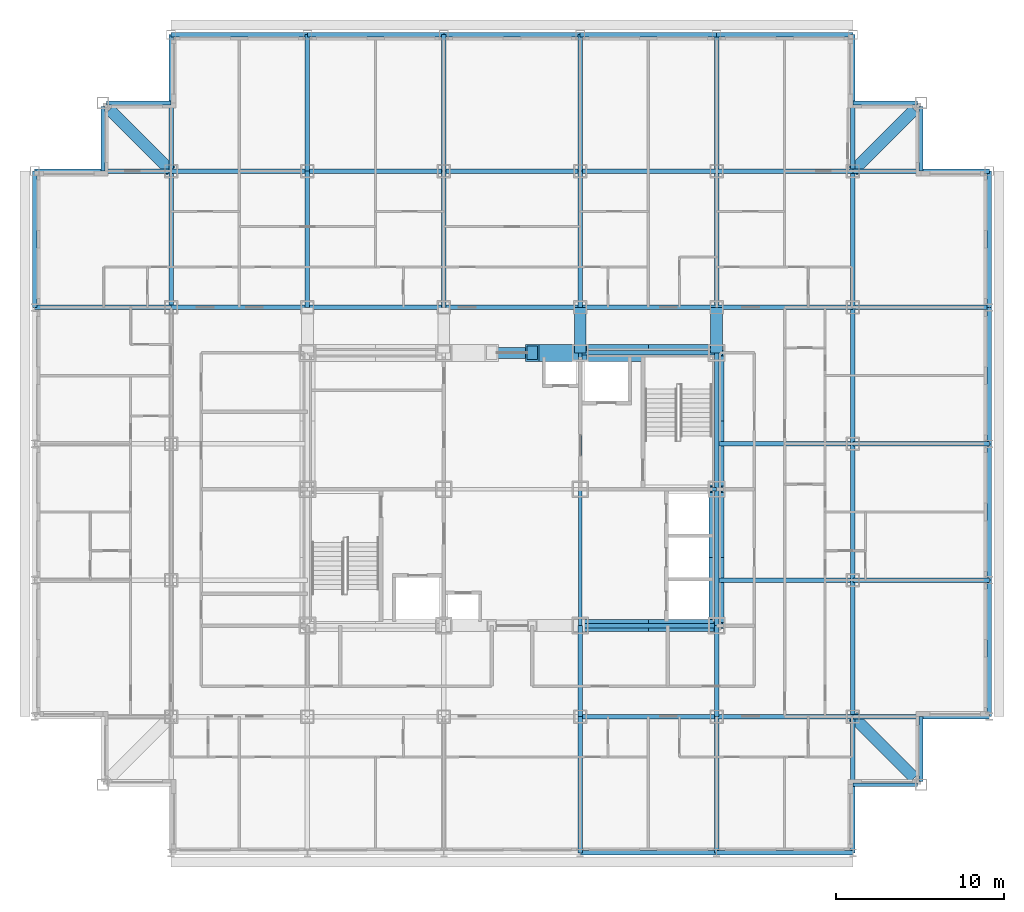
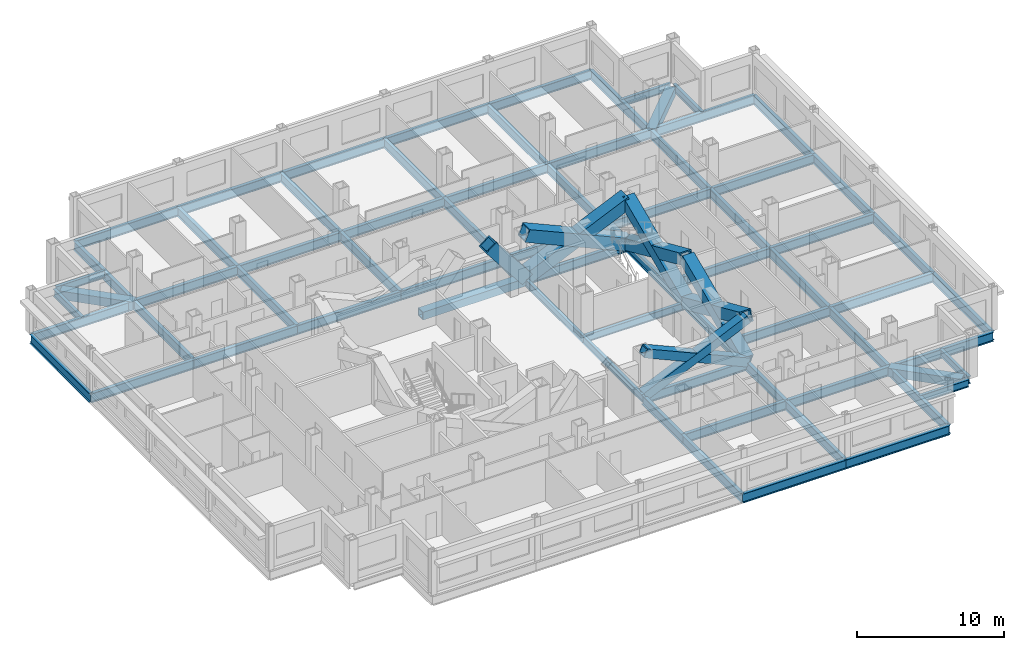
# One storey, part 2 of 12: 72 beams, 9 members.
"""IFC4 building model written with IfcOpenShell, lengths in metres."""

from ifc_helpers import new_model, si_unit, direction, frame, origin, origin_2d, place, context, subcontext, project, spatial, hollow_rectangle, i_section, extrude, material, material_profile, profile_set, type_object, element, save


model = new_model("IFC4")

# Units and contexts
model_context = context("Model", 3, precision=1e-05, world=origin(), true_north=direction((0.0, 1.0)))
body_context = subcontext(model_context, "Body", "Model", "MODEL_VIEW")
ifc_project = project(units=[si_unit("LENGTHUNIT", "METRE"), si_unit("AREAUNIT", "SQUARE_METRE"), si_unit("VOLUMEUNIT", "CUBIC_METRE"), si_unit("PLANEANGLEUNIT", "RADIAN"), si_unit("MASSUNIT", "GRAM", prefix="KILO")], contexts=[model_context])

# Site, building, storey
site_placement = place(None, origin())
site = spatial("IfcSite", under=ifc_project, at=site_placement, CompositionType="ELEMENT")
building_placement = place(site_placement, origin())
building = spatial("IfcBuilding", under=site, at=building_placement, Name="Kopane Lantern Tower", CompositionType="ELEMENT")
storey_placement = place(building_placement, frame((0.0, 0.0, 224.39990234375)))
storey = spatial("IfcBuildingStorey", under=building, at=storey_placement, Name="L58", CompositionType="ELEMENT", Elevation=224.39990234375)

# Members
ifc_material_1 = material(Name="Steel S355JR", Category="steel")
ifc_material_profile_1 = material_profile(ifc_material_1, hollow_rectangle(XDim=1.0, YDim=1.0, WallThickness=0.10009765625, at=origin_2d()), Name="BOX 1000x1000x100")
ifc_profile_set_1 = profile_set([ifc_material_profile_1], Name="Steel S355JR")
member_type_1 = type_object("IfcMemberType", Name="BRACE BOX 1000x1000x100", PredefinedType="BRACE", material=ifc_profile_set_1)
member_placement = place(storey_placement, frame((32.39990234375, 40.5, -0.2099609375), z_axis=(-0.620672981644, 0.0, 0.784069544018), x_axis=(0.0, -1.0, 0.0)))
element("IfcMember", 1, at=member_placement, inside=storey, type_object=member_type_1, Name="Core brace L58", PredefinedType="BRACE", context=body_context, shape_type="SweptSolid", body=[
    extrude(hollow_rectangle(XDim=1.0, YDim=1.0, WallThickness=0.10009765625, at=origin_2d()), origin(), (0.0, 0.0, 1.0), 4.591552734375),
])
for number, where, z_axis, x_axis, name in (
    (2, (32.39990234375, 40.5, -0.2099609375), (0.913809277049, 0.0, 0.40614357705), (0.0, 1.0, 0.0), "Core brace L58"),
    (3, (40.5, 40.5, -0.2099609375), (-0.913809277049, 0.0, 0.40614357705), (0.0, -1.0, 0.0), "Core brace L58"),
):
    element("IfcMember", number, at=place(storey_placement, frame(where, z_axis=z_axis, x_axis=x_axis)), inside=storey, type_object=member_type_1, Name=name, PredefinedType="BRACE", context=body_context, shape_type="SweptSolid", body=[
        extrude(hollow_rectangle(XDim=1.0, YDim=1.0, WallThickness=0.10009765625, at=origin_2d()), origin(), (0.0, 0.0, 1.0), 8.864013671875),
    ])
ifc_material_2 = material(Name="Steel S355JR", Category="steel")
ifc_material_profile_2 = material_profile(ifc_material_2, hollow_rectangle(XDim=0.699951171875, YDim=0.699951171875, WallThickness=0.06005859375, at=origin_2d()), Name="BOX 700x700x60")
ifc_profile_set_2 = profile_set([ifc_material_profile_2], Name="Steel S355JR")
member_type_2 = type_object("IfcMemberType", Name="BRACE BOX 700x700x60", PredefinedType="BRACE", material=ifc_profile_set_2)
for number, where, z_axis, x_axis, name in (
    (4, (32.39990234375, 24.300048828125, -0.2099609375), (0.913809277049, 0.0, 0.40614357705), (0.0, 1.0, 0.0), "Core brace L58"),
    (5, (40.5, 24.300048828125, -0.2099609375), (-0.913809277049, 0.0, 0.40614357705), (0.0, -1.0, 0.0), "Core brace L58"),
):
    element("IfcMember", number, at=place(storey_placement, frame(where, z_axis=z_axis, x_axis=x_axis)), inside=storey, type_object=member_type_2, Name=name, PredefinedType="BRACE", context=body_context, shape_type="SweptSolid", body=[
        extrude(hollow_rectangle(XDim=0.699951171875, YDim=0.699951171875, WallThickness=0.06005859375, at=origin_2d()), origin(), (0.0, 0.0, 1.0), 8.864013671875),
    ])
ifc_material_3 = material(Name="Steel S355JR", Category="steel")
ifc_material_profile_3 = material_profile(ifc_material_3, hollow_rectangle(XDim=0.89990234375, YDim=0.89990234375, WallThickness=0.090087890625, at=origin_2d()), Name="BOX 900x900x90")
ifc_profile_set_3 = profile_set([ifc_material_profile_3], Name="Steel S355JR")
member_type_3 = type_object("IfcMemberType", Name="BRACE BOX 900x900x90", PredefinedType="BRACE", material=ifc_profile_set_3)
for number, where, z_axis, x_axis, name in (
    (6, (40.5, 24.300048828125, -0.2099609375), (0.0, 0.91380473365, 0.406153799391), (-1.0, 0.0, 0.0), "Core brace L58"),
    (7, (40.5, 32.39990234375, -0.2099609375), (0.0, -0.91380473365, 0.406153799391), (1.0, 0.0, 0.0), "Core brace L58"),
):
    element("IfcMember", number, at=place(storey_placement, frame(where, z_axis=z_axis, x_axis=x_axis)), inside=storey, type_object=member_type_3, Name=name, PredefinedType="BRACE", context=body_context, shape_type="SweptSolid", body=[
        extrude(hollow_rectangle(XDim=0.89990234375, YDim=0.89990234375, WallThickness=0.090087890625, at=origin_2d()), origin(), (0.0, 0.0, 1.0), 8.86376953125),
    ])
for number, where, z_axis, x_axis, name in (
    (8, (40.5, 32.39990234375, -0.2099609375), (0.0, 0.913809277049, 0.40614357705), (-1.0, 0.0, 0.0), "Core brace L58"),
    (9, (40.5, 40.5, -0.2099609375), (0.0, -0.913809277049, 0.40614357705), (1.0, 0.0, 0.0), "Core brace L58"),
):
    element("IfcMember", number, at=place(storey_placement, frame(where, z_axis=z_axis, x_axis=x_axis)), inside=storey, type_object=member_type_3, Name=name, PredefinedType="BRACE", context=body_context, shape_type="SweptSolid", body=[
        extrude(hollow_rectangle(XDim=0.89990234375, YDim=0.89990234375, WallThickness=0.090087890625, at=origin_2d()), origin(), (0.0, 0.0, 1.0), 8.864013671875),
    ])

# Beams
ifc_material_4 = material(Name="Steel S355JR", Category="steel")
ifc_material_profile_4 = material_profile(ifc_material_4, i_section(OverallWidth=0.22900390625, OverallDepth=0.6123046875, WebThickness=0.011962890625, FlangeThickness=0.01953125, FilletRadius=0.0126953125, at=origin_2d()), Name="UB 610x229x125")
ifc_profile_set_4 = profile_set([ifc_material_profile_4], Name="Steel S355JR")
beam_type_1 = type_object("IfcBeamType", Name="CORE BEAM UB 610x229x125", PredefinedType="BEAM", material=ifc_profile_set_4)
beam_1_placement = place(storey_placement, frame((32.39990234375, 24.300048828125, -0.51611328125), z_axis=(0.0, 1.0, 0.0), x_axis=(-1.0, 0.0, 0.0)))
element("IfcBeam", 10, at=beam_1_placement, inside=storey, type_object=beam_type_1, Name="Core Beam L58", PredefinedType="BEAM", context=body_context, shape_type="SweptSolid", body=[
    extrude(i_section(OverallWidth=0.22900390625, OverallDepth=0.6123046875, WebThickness=0.011962890625, FlangeThickness=0.01953125, FilletRadius=0.0126953125, at=origin_2d()), origin(), (0.0, 0.0, 1.0), 8.099853515625),
])
for number, where, z_axis, x_axis, name in (
    (11, (32.39990234375, 32.39990234375, -0.51611328125), (0.0, 1.0, 0.0), (-1.0, 0.0, 0.0), "Core Beam L58"),
    (12, (32.39990234375, 32.39990234375, -0.51611328125), (1.0, 0.0, 0.0), (0.0, 1.0, 0.0), "Core Beam L58"),
):
    element("IfcBeam", number, at=place(storey_placement, frame(where, z_axis=z_axis, x_axis=x_axis)), inside=storey, type_object=beam_type_1, Name=name, PredefinedType="BEAM", context=body_context, shape_type="SweptSolid", body=[
        extrude(i_section(OverallWidth=0.22900390625, OverallDepth=0.6123046875, WebThickness=0.011962890625, FlangeThickness=0.01953125, FilletRadius=0.0126953125, at=origin_2d()), origin(), (0.0, 0.0, 1.0), 8.10009765625),
    ])
ifc_material_5 = material(Name="Steel S355JR", Category="steel")
ifc_material_profile_5 = material_profile(ifc_material_5, hollow_rectangle(XDim=0.699951171875, YDim=0.699951171875, WallThickness=0.06005859375, at=origin_2d()), Name="BOX 700x700x60")
ifc_profile_set_5 = profile_set([ifc_material_profile_5], Name="Steel S355JR")
beam_type_2 = type_object("IfcBeamType", Name="CORNER TIE BEAM BOX 700x700x60", PredefinedType="BEAM", material=ifc_profile_set_5)
for number, where, z_axis, x_axis, name in (
    (13, (4.447509765625, 54.952392578125, -0.559814453125), (0.70713041325, -0.707083148333, 0.0), (0.707083148333, 0.70713041325, 0.0), "Corner Tie Beam L58"),
    (14, (52.25244140625, 15.24755859375, -0.559814453125), (-0.707106781187, 0.707106781187, 0.0), (-0.707106781187, -0.707106781187, 0.0), "Corner Tie Beam L58"),
    (15, (52.25244140625, 54.952392578125, -0.559814453125), (-0.707106781187, -0.707106781187, 0.0), (0.707106781187, -0.707106781187, 0.0), "Corner Tie Beam L58"),
):
    element("IfcBeam", number, at=place(storey_placement, frame(where, z_axis=z_axis, x_axis=x_axis)), inside=storey, type_object=beam_type_2, Name=name, PredefinedType="BEAM", context=body_context, shape_type="SweptSolid", body=[
        extrude(hollow_rectangle(XDim=0.699951171875, YDim=0.699951171875, WallThickness=0.06005859375, at=origin_2d()), origin(), (0.0, 0.0, 1.0), 5.165283203125),
    ])
ifc_material_6 = material(Name="Steel S355JR", Category="steel")
ifc_material_profile_6 = material_profile(ifc_material_6, i_section(OverallWidth=0.22900390625, OverallDepth=0.6123046875, WebThickness=0.011962890625, FlangeThickness=0.01953125, FilletRadius=0.0126953125, at=origin_2d()), Name="UB 610x229x125")
ifc_profile_set_6 = profile_set([ifc_material_profile_6], Name="Steel S355JR")
beam_type_3 = type_object("IfcBeamType", Name="EDGE BEAM UB 610x229x125", PredefinedType="BEAM", material=ifc_profile_set_6)
beam_2_placement = place(storey_placement, frame((4.050048828125, 55.146484375, -0.51611328125), z_axis=(0.0, -1.0, 0.0), x_axis=(1.0, 0.0, 0.0)))
element("IfcBeam", 16, at=beam_2_placement, inside=storey, type_object=beam_type_3, Name="Edge Beam L58", PredefinedType="BEAM", context=body_context, shape_type="SweptSolid", body=[
    extrude(i_section(OverallWidth=0.22900390625, OverallDepth=0.6123046875, WebThickness=0.011962890625, FlangeThickness=0.01953125, FilletRadius=0.0126953125, at=origin_2d()), origin(), (0.0, 0.0, 1.0), 3.846435546875),
])
beam_3_placement = place(storey_placement, frame((4.25341796875, 55.35009765625, -0.51611328125), z_axis=(1.0, 0.0, 0.0), x_axis=(0.0, 1.0, 0.0)))
element("IfcBeam", 17, at=beam_3_placement, inside=storey, type_object=beam_type_3, Name="Edge Beam L58", PredefinedType="BEAM", context=body_context, shape_type="SweptSolid", body=[
    extrude(i_section(OverallWidth=0.22900390625, OverallDepth=0.6123046875, WebThickness=0.011962890625, FlangeThickness=0.01953125, FilletRadius=0.0126953125, at=origin_2d()), origin(), (0.0, 0.0, 1.0), 3.8466796875),
])
for number, where, z_axis, x_axis, name in (
    (18, (52.446533203125, 14.85009765625, -0.51611328125), (-1.0, 0.0, 0.0), (0.0, -1.0, 0.0), "Edge Beam L58"),
    (19, (52.446533203125, 55.35009765625, -0.51611328125), (-1.0, 0.0, 0.0), (0.0, -1.0, 0.0), "Edge Beam L58"),
    (20, (52.64990234375, 15.053466796875, -0.51611328125), (0.0, 1.0, 0.0), (-1.0, 0.0, 0.0), "Edge Beam L58"),
    (21, (52.64990234375, 55.146484375, -0.51611328125), (0.0, -1.0, 0.0), (1.0, 0.0, 0.0), "Edge Beam L58"),
):
    element("IfcBeam", number, at=place(storey_placement, frame(where, z_axis=z_axis, x_axis=x_axis)), inside=storey, type_object=beam_type_3, Name=name, PredefinedType="BEAM", context=body_context, shape_type="SweptSolid", body=[
        extrude(i_section(OverallWidth=0.22900390625, OverallDepth=0.6123046875, WebThickness=0.011962890625, FlangeThickness=0.01953125, FilletRadius=0.0126953125, at=origin_2d()), origin(), (0.0, 0.0, 1.0), 3.846435546875),
    ])
ifc_material_7 = material(Name="Steel S355JR", Category="steel")
ifc_material_profile_7 = material_profile(ifc_material_7, hollow_rectangle(XDim=0.699951171875, YDim=0.699951171875, WallThickness=0.06005859375, at=origin_2d()), Name="BOX 700x700x60")
ifc_profile_set_7 = profile_set([ifc_material_profile_7], Name="Steel S355JR")
beam_type_4 = type_object("IfcBeamType", Name="GIRDER BOX 700x700x60", PredefinedType="BEAM", material=ifc_profile_set_7)
for number, where, z_axis, x_axis, name in (
    (22, (32.39990234375, 40.5, -0.559814453125), (0.0, 1.0, 0.0), (-1.0, 0.0, 0.0), "Girder L58"),
    (23, (40.5, 40.5, -0.559814453125), (0.0, 1.0, 0.0), (-1.0, 0.0, 0.0), "Girder L58"),
):
    element("IfcBeam", number, at=place(storey_placement, frame(where, z_axis=z_axis, x_axis=x_axis)), inside=storey, type_object=beam_type_4, Name=name, PredefinedType="BEAM", context=body_context, shape_type="SweptSolid", body=[
        extrude(hollow_rectangle(XDim=0.699951171875, YDim=0.699951171875, WallThickness=0.06005859375, at=origin_2d()), origin(), (0.0, 0.0, 1.0), 2.699951171875),
    ])
ifc_material_8 = material(Name="Steel S355JR", Category="steel")
ifc_material_profile_8 = material_profile(ifc_material_8, i_section(OverallWidth=0.2666015625, OverallDepth=0.76220703125, WebThickness=0.014404296875, FlangeThickness=0.021484375, FilletRadius=0.0166015625, at=origin_2d()), Name="UB 762x267x173")
ifc_profile_set_8 = profile_set([ifc_material_profile_8], Name="Steel S355JR")
beam_type_5 = type_object("IfcBeamType", Name="GIRDER UB 762x267x173", PredefinedType="BEAM", material=ifc_profile_set_8)
for number, where, z_axis, x_axis, name in (
    (24, (0.0, 43.199951171875, -0.591064453125), (0.0, 1.0, 0.0), (-1.0, 0.0, 0.0), "Girder L58"),
    (25, (0.0, 43.199951171875, -0.591064453125), (1.0, 0.0, 0.0), (0.0, 1.0, 0.0), "Girder L58"),
    (26, (0.0, 51.300048828125, -0.591064453125), (1.0, 0.0, 0.0), (0.0, 1.0, 0.0), "Girder L58"),
    (27, (8.10009765625, 43.199951171875, -0.591064453125), (0.0, 1.0, 0.0), (-1.0, 0.0, 0.0), "Girder L58"),
):
    element("IfcBeam", number, at=place(storey_placement, frame(where, z_axis=z_axis, x_axis=x_axis)), inside=storey, type_object=beam_type_5, Name=name, PredefinedType="BEAM", context=body_context, shape_type="SweptSolid", body=[
        extrude(i_section(OverallWidth=0.2666015625, OverallDepth=0.76220703125, WebThickness=0.014404296875, FlangeThickness=0.021484375, FilletRadius=0.0166015625, at=origin_2d()), origin(), (0.0, 0.0, 1.0), 8.10009765625),
    ])
for number, where, z_axis, x_axis, name in (
    (28, (8.10009765625, 43.199951171875, -0.591064453125), (1.0, 0.0, 0.0), (0.0, 1.0, 0.0), "Girder L58"),
    (29, (8.10009765625, 51.300048828125, -0.591064453125), (0.0, 1.0, 0.0), (-1.0, 0.0, 0.0), "Girder L58"),
    (30, (8.10009765625, 51.300048828125, -0.591064453125), (1.0, 0.0, 0.0), (0.0, 1.0, 0.0), "Girder L58"),
    (31, (8.10009765625, 59.39990234375, -0.591064453125), (1.0, 0.0, 0.0), (0.0, 1.0, 0.0), "Girder L58"),
):
    element("IfcBeam", number, at=place(storey_placement, frame(where, z_axis=z_axis, x_axis=x_axis)), inside=storey, type_object=beam_type_5, Name=name, PredefinedType="BEAM", context=body_context, shape_type="SweptSolid", body=[
        extrude(i_section(OverallWidth=0.2666015625, OverallDepth=0.76220703125, WebThickness=0.014404296875, FlangeThickness=0.021484375, FilletRadius=0.0166015625, at=origin_2d()), origin(), (0.0, 0.0, 1.0), 8.099853515625),
    ])
for number, where, z_axis, x_axis, name in (
    (32, (16.199951171875, 43.199951171875, -0.591064453125), (0.0, 1.0, 0.0), (-1.0, 0.0, 0.0), "Girder L58"),
    (33, (16.199951171875, 43.199951171875, -0.591064453125), (1.0, 0.0, 0.0), (0.0, 1.0, 0.0), "Girder L58"),
):
    element("IfcBeam", number, at=place(storey_placement, frame(where, z_axis=z_axis, x_axis=x_axis)), inside=storey, type_object=beam_type_5, Name=name, PredefinedType="BEAM", context=body_context, shape_type="SweptSolid", body=[
        extrude(i_section(OverallWidth=0.2666015625, OverallDepth=0.76220703125, WebThickness=0.014404296875, FlangeThickness=0.021484375, FilletRadius=0.0166015625, at=origin_2d()), origin(), (0.0, 0.0, 1.0), 8.10009765625),
    ])
beam_4_placement = place(storey_placement, frame((16.199951171875, 51.300048828125, -0.591064453125), z_axis=(0.0, 1.0, 0.0), x_axis=(-1.0, 0.0, 0.0)))
element("IfcBeam", 34, at=beam_4_placement, inside=storey, type_object=beam_type_5, Name="Girder L58", PredefinedType="BEAM", context=body_context, shape_type="SweptSolid", body=[
    extrude(i_section(OverallWidth=0.2666015625, OverallDepth=0.76220703125, WebThickness=0.014404296875, FlangeThickness=0.021484375, FilletRadius=0.0166015625, at=origin_2d()), origin(), (0.0, 0.0, 1.0), 8.099853515625),
])
for number, where, z_axis, x_axis, name in (
    (35, (16.199951171875, 51.300048828125, -0.591064453125), (1.0, 0.0, 0.0), (0.0, 1.0, 0.0), "Girder L58"),
    (36, (16.199951171875, 59.39990234375, -0.591064453125), (1.0, 0.0, 0.0), (0.0, 1.0, 0.0), "Girder L58"),
    (37, (24.300048828125, 43.199951171875, -0.591064453125), (0.0, 1.0, 0.0), (-1.0, 0.0, 0.0), "Girder L58"),
):
    element("IfcBeam", number, at=place(storey_placement, frame(where, z_axis=z_axis, x_axis=x_axis)), inside=storey, type_object=beam_type_5, Name=name, PredefinedType="BEAM", context=body_context, shape_type="SweptSolid", body=[
        extrude(i_section(OverallWidth=0.2666015625, OverallDepth=0.76220703125, WebThickness=0.014404296875, FlangeThickness=0.021484375, FilletRadius=0.0166015625, at=origin_2d()), origin(), (0.0, 0.0, 1.0), 8.10009765625),
    ])
for number, where, z_axis, x_axis, name in (
    (38, (24.300048828125, 43.199951171875, -0.591064453125), (1.0, 0.0, 0.0), (0.0, 1.0, 0.0), "Girder L58"),
    (39, (24.300048828125, 51.300048828125, -0.591064453125), (0.0, 1.0, 0.0), (-1.0, 0.0, 0.0), "Girder L58"),
    (40, (24.300048828125, 51.300048828125, -0.591064453125), (1.0, 0.0, 0.0), (0.0, 1.0, 0.0), "Girder L58"),
    (41, (24.300048828125, 59.39990234375, -0.591064453125), (1.0, 0.0, 0.0), (0.0, 1.0, 0.0), "Girder L58"),
    (42, (32.39990234375, 10.800048828125, -0.591064453125), (0.0, 1.0, 0.0), (-1.0, 0.0, 0.0), "Girder L58"),
):
    element("IfcBeam", number, at=place(storey_placement, frame(where, z_axis=z_axis, x_axis=x_axis)), inside=storey, type_object=beam_type_5, Name=name, PredefinedType="BEAM", context=body_context, shape_type="SweptSolid", body=[
        extrude(i_section(OverallWidth=0.2666015625, OverallDepth=0.76220703125, WebThickness=0.014404296875, FlangeThickness=0.021484375, FilletRadius=0.0166015625, at=origin_2d()), origin(), (0.0, 0.0, 1.0), 8.099853515625),
    ])
beam_5_placement = place(storey_placement, frame((32.39990234375, 10.800048828125, -0.591064453125), z_axis=(1.0, 0.0, 0.0), x_axis=(0.0, 1.0, 0.0)))
element("IfcBeam", 43, at=beam_5_placement, inside=storey, type_object=beam_type_5, Name="Girder L58", PredefinedType="BEAM", context=body_context, shape_type="SweptSolid", body=[
    extrude(i_section(OverallWidth=0.2666015625, OverallDepth=0.76220703125, WebThickness=0.014404296875, FlangeThickness=0.021484375, FilletRadius=0.0166015625, at=origin_2d()), origin(), (0.0, 0.0, 1.0), 8.10009765625),
])
beam_6_placement = place(storey_placement, frame((32.39990234375, 18.89990234375, -0.591064453125), z_axis=(0.0, 1.0, 0.0), x_axis=(-1.0, 0.0, 0.0)))
element("IfcBeam", 44, at=beam_6_placement, inside=storey, type_object=beam_type_5, Name="Girder L58", PredefinedType="BEAM", context=body_context, shape_type="SweptSolid", body=[
    extrude(i_section(OverallWidth=0.2666015625, OverallDepth=0.76220703125, WebThickness=0.014404296875, FlangeThickness=0.021484375, FilletRadius=0.0166015625, at=origin_2d()), origin(), (0.0, 0.0, 1.0), 5.400146484375),
])
for number, where, z_axis, x_axis, name in (
    (45, (32.39990234375, 18.89990234375, -0.591064453125), (1.0, 0.0, 0.0), (0.0, 1.0, 0.0), "Girder L58"),
    (46, (32.39990234375, 24.300048828125, -0.591064453125), (1.0, 0.0, 0.0), (0.0, 1.0, 0.0), "Girder L58"),
    (47, (32.39990234375, 40.5, -0.591064453125), (1.0, 0.0, 0.0), (0.0, 1.0, 0.0), "Girder L58"),
    (48, (32.39990234375, 43.199951171875, -0.591064453125), (0.0, 1.0, 0.0), (-1.0, 0.0, 0.0), "Girder L58"),
    (49, (32.39990234375, 43.199951171875, -0.591064453125), (1.0, 0.0, 0.0), (0.0, 1.0, 0.0), "Girder L58"),
):
    element("IfcBeam", number, at=place(storey_placement, frame(where, z_axis=z_axis, x_axis=x_axis)), inside=storey, type_object=beam_type_5, Name=name, PredefinedType="BEAM", context=body_context, shape_type="SweptSolid", body=[
        extrude(i_section(OverallWidth=0.2666015625, OverallDepth=0.76220703125, WebThickness=0.014404296875, FlangeThickness=0.021484375, FilletRadius=0.0166015625, at=origin_2d()), origin(), (0.0, 0.0, 1.0), 8.10009765625),
    ])
beam_7_placement = place(storey_placement, frame((32.39990234375, 51.300048828125, -0.591064453125), z_axis=(0.0, 1.0, 0.0), x_axis=(-1.0, 0.0, 0.0)))
element("IfcBeam", 50, at=beam_7_placement, inside=storey, type_object=beam_type_5, Name="Girder L58", PredefinedType="BEAM", context=body_context, shape_type="SweptSolid", body=[
    extrude(i_section(OverallWidth=0.2666015625, OverallDepth=0.76220703125, WebThickness=0.014404296875, FlangeThickness=0.021484375, FilletRadius=0.0166015625, at=origin_2d()), origin(), (0.0, 0.0, 1.0), 8.099853515625),
])
for number, where, z_axis, x_axis, name in (
    (51, (32.39990234375, 51.300048828125, -0.591064453125), (1.0, 0.0, 0.0), (0.0, 1.0, 0.0), "Girder L58"),
    (52, (32.39990234375, 59.39990234375, -0.591064453125), (1.0, 0.0, 0.0), (0.0, 1.0, 0.0), "Girder L58"),
):
    element("IfcBeam", number, at=place(storey_placement, frame(where, z_axis=z_axis, x_axis=x_axis)), inside=storey, type_object=beam_type_5, Name=name, PredefinedType="BEAM", context=body_context, shape_type="SweptSolid", body=[
        extrude(i_section(OverallWidth=0.2666015625, OverallDepth=0.76220703125, WebThickness=0.014404296875, FlangeThickness=0.021484375, FilletRadius=0.0166015625, at=origin_2d()), origin(), (0.0, 0.0, 1.0), 8.10009765625),
    ])
beam_8_placement = place(storey_placement, frame((40.5, 10.800048828125, -0.591064453125), z_axis=(0.0, 1.0, 0.0), x_axis=(-1.0, 0.0, 0.0)))
element("IfcBeam", 53, at=beam_8_placement, inside=storey, type_object=beam_type_5, Name="Girder L58", PredefinedType="BEAM", context=body_context, shape_type="SweptSolid", body=[
    extrude(i_section(OverallWidth=0.2666015625, OverallDepth=0.76220703125, WebThickness=0.014404296875, FlangeThickness=0.021484375, FilletRadius=0.0166015625, at=origin_2d()), origin(), (0.0, 0.0, 1.0), 8.099853515625),
])
beam_9_placement = place(storey_placement, frame((40.5, 10.800048828125, -0.591064453125), z_axis=(1.0, 0.0, 0.0), x_axis=(0.0, 1.0, 0.0)))
element("IfcBeam", 54, at=beam_9_placement, inside=storey, type_object=beam_type_5, Name="Girder L58", PredefinedType="BEAM", context=body_context, shape_type="SweptSolid", body=[
    extrude(i_section(OverallWidth=0.2666015625, OverallDepth=0.76220703125, WebThickness=0.014404296875, FlangeThickness=0.021484375, FilletRadius=0.0166015625, at=origin_2d()), origin(), (0.0, 0.0, 1.0), 8.10009765625),
])
beam_10_placement = place(storey_placement, frame((40.5, 18.89990234375, -0.591064453125), z_axis=(0.0, 1.0, 0.0), x_axis=(-1.0, 0.0, 0.0)))
element("IfcBeam", 55, at=beam_10_placement, inside=storey, type_object=beam_type_5, Name="Girder L58", PredefinedType="BEAM", context=body_context, shape_type="SweptSolid", body=[
    extrude(i_section(OverallWidth=0.2666015625, OverallDepth=0.76220703125, WebThickness=0.014404296875, FlangeThickness=0.021484375, FilletRadius=0.0166015625, at=origin_2d()), origin(), (0.0, 0.0, 1.0), 5.400146484375),
])
beam_11_placement = place(storey_placement, frame((40.5, 18.89990234375, -0.591064453125), z_axis=(1.0, 0.0, 0.0), x_axis=(0.0, 1.0, 0.0)))
element("IfcBeam", 56, at=beam_11_placement, inside=storey, type_object=beam_type_5, Name="Girder L58", PredefinedType="BEAM", context=body_context, shape_type="SweptSolid", body=[
    extrude(i_section(OverallWidth=0.2666015625, OverallDepth=0.76220703125, WebThickness=0.014404296875, FlangeThickness=0.021484375, FilletRadius=0.0166015625, at=origin_2d()), origin(), (0.0, 0.0, 1.0), 8.10009765625),
])
beam_12_placement = place(storey_placement, frame((40.5, 24.300048828125, -0.591064453125), z_axis=(0.0, 1.0, 0.0), x_axis=(-1.0, 0.0, 0.0)))
element("IfcBeam", 57, at=beam_12_placement, inside=storey, type_object=beam_type_5, Name="Girder L58", PredefinedType="BEAM", context=body_context, shape_type="SweptSolid", body=[
    extrude(i_section(OverallWidth=0.2666015625, OverallDepth=0.76220703125, WebThickness=0.014404296875, FlangeThickness=0.021484375, FilletRadius=0.0166015625, at=origin_2d()), origin(), (0.0, 0.0, 1.0), 8.099853515625),
])
for number, where, z_axis, x_axis, name in (
    (58, (40.5, 27.0, -0.591064453125), (1.0, 0.0, 0.0), (0.0, 1.0, 0.0), "Girder L58"),
    (59, (40.5, 32.39990234375, -0.591064453125), (0.0, 1.0, 0.0), (-1.0, 0.0, 0.0), "Girder L58"),
    (60, (40.5, 35.10009765625, -0.591064453125), (1.0, 0.0, 0.0), (0.0, 1.0, 0.0), "Girder L58"),
    (61, (40.5, 43.199951171875, -0.591064453125), (0.0, 1.0, 0.0), (-1.0, 0.0, 0.0), "Girder L58"),
    (62, (40.5, 43.199951171875, -0.591064453125), (1.0, 0.0, 0.0), (0.0, 1.0, 0.0), "Girder L58"),
):
    element("IfcBeam", number, at=place(storey_placement, frame(where, z_axis=z_axis, x_axis=x_axis)), inside=storey, type_object=beam_type_5, Name=name, PredefinedType="BEAM", context=body_context, shape_type="SweptSolid", body=[
        extrude(i_section(OverallWidth=0.2666015625, OverallDepth=0.76220703125, WebThickness=0.014404296875, FlangeThickness=0.021484375, FilletRadius=0.0166015625, at=origin_2d()), origin(), (0.0, 0.0, 1.0), 8.10009765625),
    ])
beam_13_placement = place(storey_placement, frame((40.5, 51.300048828125, -0.591064453125), z_axis=(0.0, 1.0, 0.0), x_axis=(-1.0, 0.0, 0.0)))
element("IfcBeam", 63, at=beam_13_placement, inside=storey, type_object=beam_type_5, Name="Girder L58", PredefinedType="BEAM", context=body_context, shape_type="SweptSolid", body=[
    extrude(i_section(OverallWidth=0.2666015625, OverallDepth=0.76220703125, WebThickness=0.014404296875, FlangeThickness=0.021484375, FilletRadius=0.0166015625, at=origin_2d()), origin(), (0.0, 0.0, 1.0), 8.099853515625),
])
for number, where, z_axis, x_axis, name in (
    (64, (40.5, 51.300048828125, -0.591064453125), (1.0, 0.0, 0.0), (0.0, 1.0, 0.0), "Girder L58"),
    (65, (40.5, 59.39990234375, -0.591064453125), (1.0, 0.0, 0.0), (0.0, 1.0, 0.0), "Girder L58"),
):
    element("IfcBeam", number, at=place(storey_placement, frame(where, z_axis=z_axis, x_axis=x_axis)), inside=storey, type_object=beam_type_5, Name=name, PredefinedType="BEAM", context=body_context, shape_type="SweptSolid", body=[
        extrude(i_section(OverallWidth=0.2666015625, OverallDepth=0.76220703125, WebThickness=0.014404296875, FlangeThickness=0.021484375, FilletRadius=0.0166015625, at=origin_2d()), origin(), (0.0, 0.0, 1.0), 8.10009765625),
    ])
beam_14_placement = place(storey_placement, frame((48.60009765625, 10.800048828125, -0.591064453125), z_axis=(0.0, 1.0, 0.0), x_axis=(-1.0, 0.0, 0.0)))
element("IfcBeam", 66, at=beam_14_placement, inside=storey, type_object=beam_type_5, Name="Girder L58", PredefinedType="BEAM", context=body_context, shape_type="SweptSolid", body=[
    extrude(i_section(OverallWidth=0.2666015625, OverallDepth=0.76220703125, WebThickness=0.014404296875, FlangeThickness=0.021484375, FilletRadius=0.0166015625, at=origin_2d()), origin(), (0.0, 0.0, 1.0), 8.099853515625),
])
beam_15_placement = place(storey_placement, frame((48.60009765625, 18.89990234375, -0.591064453125), z_axis=(0.0, 1.0, 0.0), x_axis=(-1.0, 0.0, 0.0)))
element("IfcBeam", 67, at=beam_15_placement, inside=storey, type_object=beam_type_5, Name="Girder L58", PredefinedType="BEAM", context=body_context, shape_type="SweptSolid", body=[
    extrude(i_section(OverallWidth=0.2666015625, OverallDepth=0.76220703125, WebThickness=0.014404296875, FlangeThickness=0.021484375, FilletRadius=0.0166015625, at=origin_2d()), origin(), (0.0, 0.0, 1.0), 8.10009765625),
])
beam_16_placement = place(storey_placement, frame((48.60009765625, 18.89990234375, -0.591064453125), z_axis=(1.0, 0.0, 0.0), x_axis=(0.0, 1.0, 0.0)))
element("IfcBeam", 68, at=beam_16_placement, inside=storey, type_object=beam_type_5, Name="Girder L58", PredefinedType="BEAM", context=body_context, shape_type="SweptSolid", body=[
    extrude(i_section(OverallWidth=0.2666015625, OverallDepth=0.76220703125, WebThickness=0.014404296875, FlangeThickness=0.021484375, FilletRadius=0.0166015625, at=origin_2d()), origin(), (0.0, 0.0, 1.0), 8.099853515625),
])
beam_17_placement = place(storey_placement, frame((48.60009765625, 27.0, -0.591064453125), z_axis=(0.0, 1.0, 0.0), x_axis=(-1.0, 0.0, 0.0)))
element("IfcBeam", 69, at=beam_17_placement, inside=storey, type_object=beam_type_5, Name="Girder L58", PredefinedType="BEAM", context=body_context, shape_type="SweptSolid", body=[
    extrude(i_section(OverallWidth=0.2666015625, OverallDepth=0.76220703125, WebThickness=0.014404296875, FlangeThickness=0.021484375, FilletRadius=0.0166015625, at=origin_2d()), origin(), (0.0, 0.0, 1.0), 8.10009765625),
])
for number, where, z_axis, x_axis, name in (
    (70, (48.60009765625, 27.0, -0.591064453125), (1.0, 0.0, 0.0), (0.0, 1.0, 0.0), "Girder L58"),
    (71, (48.60009765625, 35.10009765625, -0.591064453125), (0.0, 1.0, 0.0), (-1.0, 0.0, 0.0), "Girder L58"),
    (72, (48.60009765625, 35.10009765625, -0.591064453125), (1.0, 0.0, 0.0), (0.0, 1.0, 0.0), "Girder L58"),
):
    element("IfcBeam", number, at=place(storey_placement, frame(where, z_axis=z_axis, x_axis=x_axis)), inside=storey, type_object=beam_type_5, Name=name, PredefinedType="BEAM", context=body_context, shape_type="SweptSolid", body=[
        extrude(i_section(OverallWidth=0.2666015625, OverallDepth=0.76220703125, WebThickness=0.014404296875, FlangeThickness=0.021484375, FilletRadius=0.0166015625, at=origin_2d()), origin(), (0.0, 0.0, 1.0), 8.099853515625),
    ])
beam_18_placement = place(storey_placement, frame((48.60009765625, 43.199951171875, -0.591064453125), z_axis=(0.0, 1.0, 0.0), x_axis=(-1.0, 0.0, 0.0)))
element("IfcBeam", 73, at=beam_18_placement, inside=storey, type_object=beam_type_5, Name="Girder L58", PredefinedType="BEAM", context=body_context, shape_type="SweptSolid", body=[
    extrude(i_section(OverallWidth=0.2666015625, OverallDepth=0.76220703125, WebThickness=0.014404296875, FlangeThickness=0.021484375, FilletRadius=0.0166015625, at=origin_2d()), origin(), (0.0, 0.0, 1.0), 8.10009765625),
])
for number, where, z_axis, x_axis, name in (
    (74, (48.60009765625, 43.199951171875, -0.591064453125), (1.0, 0.0, 0.0), (0.0, 1.0, 0.0), "Girder L58"),
    (75, (48.60009765625, 51.300048828125, -0.591064453125), (0.0, 1.0, 0.0), (-1.0, 0.0, 0.0), "Girder L58"),
    (76, (48.60009765625, 51.300048828125, -0.591064453125), (1.0, 0.0, 0.0), (0.0, 1.0, 0.0), "Girder L58"),
):
    element("IfcBeam", number, at=place(storey_placement, frame(where, z_axis=z_axis, x_axis=x_axis)), inside=storey, type_object=beam_type_5, Name=name, PredefinedType="BEAM", context=body_context, shape_type="SweptSolid", body=[
        extrude(i_section(OverallWidth=0.2666015625, OverallDepth=0.76220703125, WebThickness=0.014404296875, FlangeThickness=0.021484375, FilletRadius=0.0166015625, at=origin_2d()), origin(), (0.0, 0.0, 1.0), 8.099853515625),
    ])
for number, where, z_axis, x_axis, name in (
    (77, (56.699951171875, 18.89990234375, -0.591064453125), (0.0, 1.0, 0.0), (-1.0, 0.0, 0.0), "Girder L58"),
    (78, (56.699951171875, 27.0, -0.591064453125), (0.0, 1.0, 0.0), (-1.0, 0.0, 0.0), "Girder L58"),
):
    element("IfcBeam", number, at=place(storey_placement, frame(where, z_axis=z_axis, x_axis=x_axis)), inside=storey, type_object=beam_type_5, Name=name, PredefinedType="BEAM", context=body_context, shape_type="SweptSolid", body=[
        extrude(i_section(OverallWidth=0.2666015625, OverallDepth=0.76220703125, WebThickness=0.014404296875, FlangeThickness=0.021484375, FilletRadius=0.0166015625, at=origin_2d()), origin(), (0.0, 0.0, 1.0), 8.10009765625),
    ])
beam_19_placement = place(storey_placement, frame((56.699951171875, 35.10009765625, -0.591064453125), z_axis=(0.0, 1.0, 0.0), x_axis=(-1.0, 0.0, 0.0)))
element("IfcBeam", 79, at=beam_19_placement, inside=storey, type_object=beam_type_5, Name="Girder L58", PredefinedType="BEAM", context=body_context, shape_type="SweptSolid", body=[
    extrude(i_section(OverallWidth=0.2666015625, OverallDepth=0.76220703125, WebThickness=0.014404296875, FlangeThickness=0.021484375, FilletRadius=0.0166015625, at=origin_2d()), origin(), (0.0, 0.0, 1.0), 8.099853515625),
])
beam_20_placement = place(storey_placement, frame((56.699951171875, 43.199951171875, -0.591064453125), z_axis=(0.0, 1.0, 0.0), x_axis=(-1.0, 0.0, 0.0)))
element("IfcBeam", 80, at=beam_20_placement, inside=storey, type_object=beam_type_5, Name="Girder L58", PredefinedType="BEAM", context=body_context, shape_type="SweptSolid", body=[
    extrude(i_section(OverallWidth=0.2666015625, OverallDepth=0.76220703125, WebThickness=0.014404296875, FlangeThickness=0.021484375, FilletRadius=0.0166015625, at=origin_2d()), origin(), (0.0, 0.0, 1.0), 8.10009765625),
])
ifc_material_9 = material(Name="Steel S355JR", Category="steel")
ifc_material_profile_9 = material_profile(ifc_material_9, hollow_rectangle(XDim=0.64990234375, YDim=0.64990234375, WallThickness=0.070068359375, at=origin_2d()), Name="BOX 650x650x70")
ifc_profile_set_9 = profile_set([ifc_material_profile_9], Name="Steel S355JR")
beam_type_6 = type_object("IfcBeamType", Name="LINK BEAM BOX 650x650x70", PredefinedType="BEAM", material=ifc_profile_set_9)
beam_21_placement = place(storey_placement, frame((24.300048828125, 40.5, -0.534912109375), z_axis=(1.0, 0.0, 0.0), x_axis=(0.0, 1.0, 0.0)))
element("IfcBeam", 81, at=beam_21_placement, inside=storey, type_object=beam_type_6, Name="Link Beam L58", PredefinedType="BEAM", context=body_context, shape_type="SweptSolid", body=[
    extrude(hollow_rectangle(XDim=0.64990234375, YDim=0.64990234375, WallThickness=0.070068359375, at=origin_2d()), origin(), (0.0, 0.0, 1.0), 8.099853515625),
])

save(model, "model.ifc")
